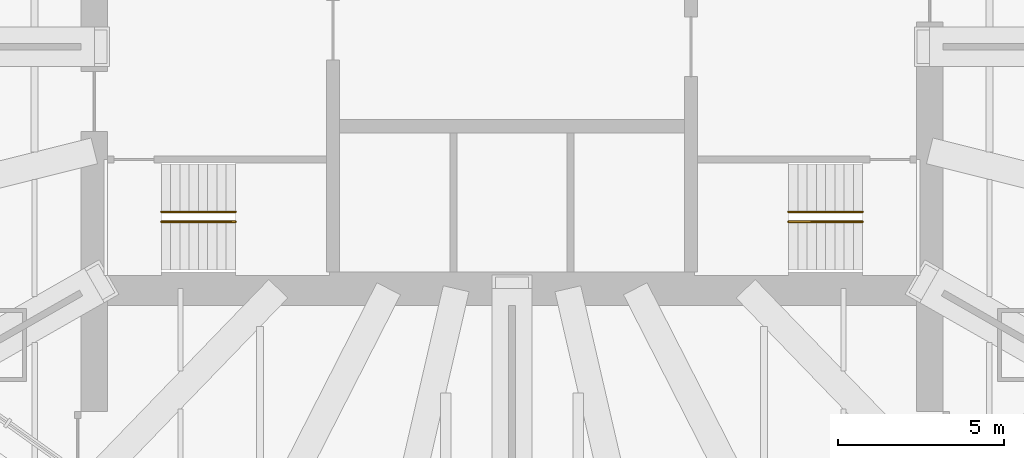
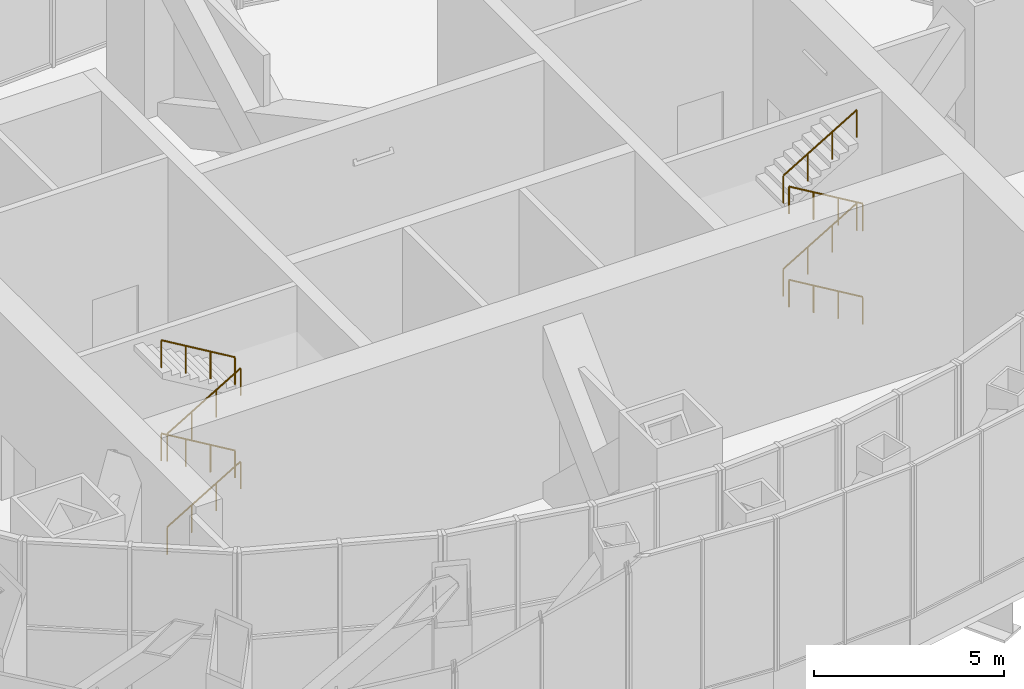
# One storey, part 21 of 21: 8 railings.
"""IFC4 building model written with IfcOpenShell, lengths in metres."""

from ifc_helpers import new_model, si_unit, direction, frame, origin, origin_2d, place, context, subcontext, project, spatial, circle, extrude, material, type_object, element, save


model = new_model("IFC4")

# Units and contexts
model_context = context("Model", 3, precision=1e-05, world=origin(), true_north=direction((0.0, 1.0)))
body_context = subcontext(model_context, "Body", "Model", "MODEL_VIEW")
ifc_project = project(units=[si_unit("LENGTHUNIT", "METRE"), si_unit("AREAUNIT", "SQUARE_METRE"), si_unit("VOLUMEUNIT", "CUBIC_METRE"), si_unit("PLANEANGLEUNIT", "RADIAN"), si_unit("MASSUNIT", "GRAM", prefix="KILO")], contexts=[model_context])

# Site, building, storey
site_placement = place(None, origin())
site = spatial("IfcSite", under=ifc_project, at=site_placement, CompositionType="ELEMENT")
building_placement = place(site_placement, origin())
building = spatial("IfcBuilding", under=site, at=building_placement, Name="Lantaw Convention Tower", CompositionType="ELEMENT")
storey_placement = place(building_placement, frame((0.0, 0.0, 284.39990234375)))
storey = spatial("IfcBuildingStorey", under=building, at=storey_placement, Name="L66", CompositionType="ELEMENT", Elevation=284.39990234375)

# Railings
ifc_material = material(Name="Stainless steel", Category="steel")
railing_type = type_object("IfcRailingType", Name="Stair handrail", PredefinedType="HANDRAIL", material=ifc_material)
railing_1_placement = place(storey_placement, frame((-10.580078125, -5.280029296875, 0.166748046875)))
element("IfcRailing", 1, at=railing_1_placement, inside=storey, type_object=railing_type, Name="Stair handrail S1", PredefinedType="HANDRAIL", context=body_context, shape_type="SweptSolid", body=[
    extrude(circle(Radius=0.02392578125, at=origin_2d()), frame((0.0, 0.0, 0.8759765625), z_axis=(0.859305625298, 0.0, 0.511462454469), x_axis=(0.0, 1.0, 0.0)), (0.0, 0.0, 1.0), 2.606689453125),
    extrude(circle(Radius=0.02099609375, at=origin_2d()), origin(), (0.0, 0.0, 1.0), 0.851806640625),
    extrude(circle(Radius=0.02099609375, at=origin_2d()), frame((0.74658203125, 0.0, 0.4443359375)), (0.0, 0.0, 1.0), 0.851806640625),
    extrude(circle(Radius=0.02099609375, at=origin_2d()), frame((1.493408203125, 0.0, 0.888916015625)), (0.0, 0.0, 1.0), 0.851806640625),
    extrude(circle(Radius=0.02099609375, at=origin_2d()), frame((2.239990234375, 0.0, 1.333251953125)), (0.0, 0.0, 1.0), 0.851806640625),
])
railing_2_placement = place(storey_placement, frame((-8.340087890625, -4.97998046875, 1.666748046875)))
element("IfcRailing", 2, at=railing_2_placement, inside=storey, type_object=railing_type, Name="Stair handrail S1", PredefinedType="HANDRAIL", context=body_context, shape_type="SweptSolid", body=[
    extrude(circle(Radius=0.02392578125, at=origin_2d()), frame((0.0, 0.0, 0.8759765625), z_axis=(-0.859305625298, 0.0, 0.511462454469), x_axis=(0.0, -1.0, 0.0)), (0.0, 0.0, 1.0), 2.606689453125),
    extrude(circle(Radius=0.02099609375, at=origin_2d()), origin(), (0.0, 0.0, 1.0), 0.851806640625),
    extrude(circle(Radius=0.02099609375, at=origin_2d()), frame((-0.74658203125, 0.0, 0.4443359375)), (0.0, 0.0, 1.0), 0.851806640625),
    extrude(circle(Radius=0.02099609375, at=origin_2d()), frame((-1.493408203125, 0.0, 0.888916015625)), (0.0, 0.0, 1.0), 0.851806640625),
    extrude(circle(Radius=0.02099609375, at=origin_2d()), frame((-2.239990234375, 0.0, 1.333251953125)), (0.0, 0.0, 1.0), 0.851806640625),
])
railing_3_placement = place(storey_placement, frame((-10.580078125, -5.280029296875, 3.166748046875)))
element("IfcRailing", 3, at=railing_3_placement, inside=storey, type_object=railing_type, Name="Stair handrail S1", PredefinedType="HANDRAIL", context=body_context, shape_type="SweptSolid", body=[
    extrude(circle(Radius=0.02392578125, at=origin_2d()), frame((0.0, 0.0, 0.8759765625), z_axis=(0.859305625298, 0.0, 0.511462454469), x_axis=(0.0, 1.0, 0.0)), (0.0, 0.0, 1.0), 2.606689453125),
    extrude(circle(Radius=0.02099609375, at=origin_2d()), origin(), (0.0, 0.0, 1.0), 0.851806640625),
    extrude(circle(Radius=0.02099609375, at=origin_2d()), frame((0.74658203125, 0.0, 0.4443359375)), (0.0, 0.0, 1.0), 0.851806640625),
    extrude(circle(Radius=0.02099609375, at=origin_2d()), frame((1.493408203125, 0.0, 0.888916015625)), (0.0, 0.0, 1.0), 0.851806640625),
    extrude(circle(Radius=0.02099609375, at=origin_2d()), frame((2.239990234375, 0.0, 1.333251953125)), (0.0, 0.0, 1.0), 0.851806640625),
])
for number, where, name in (
    (4, (-8.340087890625, -4.97998046875, 4.666748046875), "Stair handrail S1"),
    (5, (10.580078125, -5.280029296875, 0.166748046875), "Stair handrail S2"),
):
    element("IfcRailing", number, at=place(storey_placement, frame(where)), inside=storey, type_object=railing_type, Name=name, PredefinedType="HANDRAIL", context=body_context, shape_type="SweptSolid", body=[
        extrude(circle(Radius=0.02392578125, at=origin_2d()), frame((0.0, 0.0, 0.8759765625), z_axis=(-0.859305625298, 0.0, 0.511462454469), x_axis=(0.0, -1.0, 0.0)), (0.0, 0.0, 1.0), 2.606689453125),
        extrude(circle(Radius=0.02099609375, at=origin_2d()), origin(), (0.0, 0.0, 1.0), 0.851806640625),
        extrude(circle(Radius=0.02099609375, at=origin_2d()), frame((-0.74658203125, 0.0, 0.4443359375)), (0.0, 0.0, 1.0), 0.851806640625),
        extrude(circle(Radius=0.02099609375, at=origin_2d()), frame((-1.493408203125, 0.0, 0.888916015625)), (0.0, 0.0, 1.0), 0.851806640625),
        extrude(circle(Radius=0.02099609375, at=origin_2d()), frame((-2.239990234375, 0.0, 1.333251953125)), (0.0, 0.0, 1.0), 0.851806640625),
    ])
railing_4_placement = place(storey_placement, frame((8.340087890625, -4.97998046875, 1.666748046875)))
element("IfcRailing", 6, at=railing_4_placement, inside=storey, type_object=railing_type, Name="Stair handrail S2", PredefinedType="HANDRAIL", context=body_context, shape_type="SweptSolid", body=[
    extrude(circle(Radius=0.02392578125, at=origin_2d()), frame((0.0, 0.0, 0.8759765625), z_axis=(0.859305625298, 0.0, 0.511462454469), x_axis=(0.0, 1.0, 0.0)), (0.0, 0.0, 1.0), 2.606689453125),
    extrude(circle(Radius=0.02099609375, at=origin_2d()), origin(), (0.0, 0.0, 1.0), 0.851806640625),
    extrude(circle(Radius=0.02099609375, at=origin_2d()), frame((0.74658203125, 0.0, 0.4443359375)), (0.0, 0.0, 1.0), 0.851806640625),
    extrude(circle(Radius=0.02099609375, at=origin_2d()), frame((1.493408203125, 0.0, 0.888916015625)), (0.0, 0.0, 1.0), 0.851806640625),
    extrude(circle(Radius=0.02099609375, at=origin_2d()), frame((2.239990234375, 0.0, 1.333251953125)), (0.0, 0.0, 1.0), 0.851806640625),
])
railing_5_placement = place(storey_placement, frame((10.580078125, -5.280029296875, 3.166748046875)))
element("IfcRailing", 7, at=railing_5_placement, inside=storey, type_object=railing_type, Name="Stair handrail S2", PredefinedType="HANDRAIL", context=body_context, shape_type="SweptSolid", body=[
    extrude(circle(Radius=0.02392578125, at=origin_2d()), frame((0.0, 0.0, 0.8759765625), z_axis=(-0.859305625298, 0.0, 0.511462454469), x_axis=(0.0, -1.0, 0.0)), (0.0, 0.0, 1.0), 2.606689453125),
    extrude(circle(Radius=0.02099609375, at=origin_2d()), origin(), (0.0, 0.0, 1.0), 0.851806640625),
    extrude(circle(Radius=0.02099609375, at=origin_2d()), frame((-0.74658203125, 0.0, 0.4443359375)), (0.0, 0.0, 1.0), 0.851806640625),
    extrude(circle(Radius=0.02099609375, at=origin_2d()), frame((-1.493408203125, 0.0, 0.888916015625)), (0.0, 0.0, 1.0), 0.851806640625),
    extrude(circle(Radius=0.02099609375, at=origin_2d()), frame((-2.239990234375, 0.0, 1.333251953125)), (0.0, 0.0, 1.0), 0.851806640625),
])
railing_6_placement = place(storey_placement, frame((8.340087890625, -4.97998046875, 4.666748046875)))
element("IfcRailing", 8, at=railing_6_placement, inside=storey, type_object=railing_type, Name="Stair handrail S2", PredefinedType="HANDRAIL", context=body_context, shape_type="SweptSolid", body=[
    extrude(circle(Radius=0.02392578125, at=origin_2d()), frame((0.0, 0.0, 0.8759765625), z_axis=(0.859305625298, 0.0, 0.511462454469), x_axis=(0.0, 1.0, 0.0)), (0.0, 0.0, 1.0), 2.606689453125),
    extrude(circle(Radius=0.02099609375, at=origin_2d()), origin(), (0.0, 0.0, 1.0), 0.851806640625),
    extrude(circle(Radius=0.02099609375, at=origin_2d()), frame((0.74658203125, 0.0, 0.4443359375)), (0.0, 0.0, 1.0), 0.851806640625),
    extrude(circle(Radius=0.02099609375, at=origin_2d()), frame((1.493408203125, 0.0, 0.888916015625)), (0.0, 0.0, 1.0), 0.851806640625),
    extrude(circle(Radius=0.02099609375, at=origin_2d()), frame((2.239990234375, 0.0, 1.333251953125)), (0.0, 0.0, 1.0), 0.851806640625),
])

save(model, "model.ifc")
